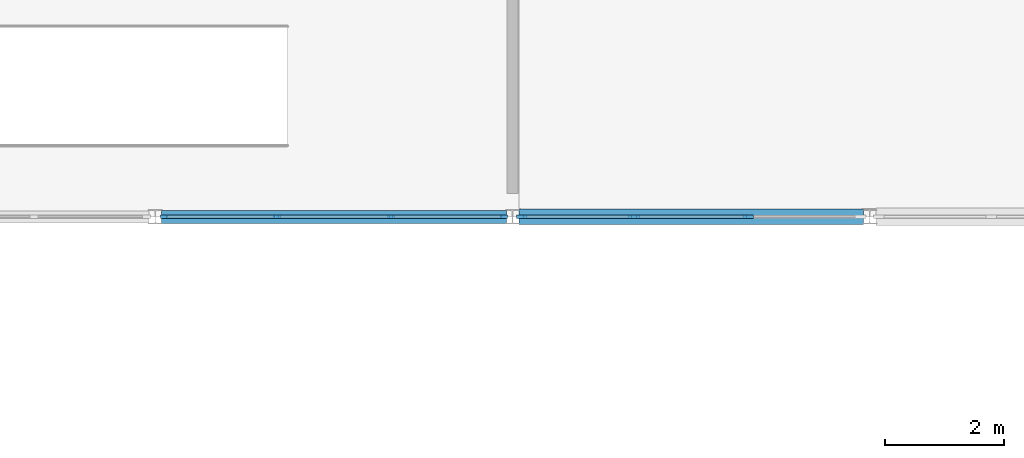
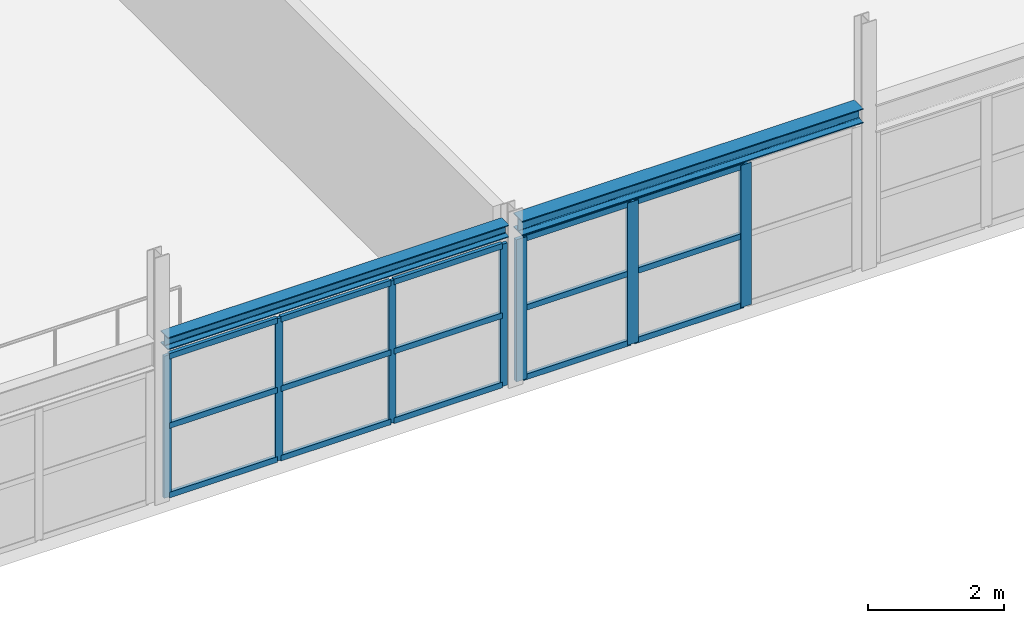
# One storey, part 57 of 137: 22 members, 2 beams, 2 elements without a shape of their own.
"""IFC4 building model written with IfcOpenShell, lengths in metres."""

from ifc_helpers import new_model, si_unit, direction, frame, origin, origin_2d, place, context, subcontext, project, spatial, rectangle, i_section, extrude, material, layer, layer_set, material_profile, profile_set, type_object, element, aggregate, save


model = new_model("IFC4")

# Units and contexts
model_context = context("Model", 3, precision=1e-05, world=origin(), true_north=direction((0.0, 1.0)))
body_context = subcontext(model_context, "Body", "Model", "MODEL_VIEW")
ifc_project = project(units=[si_unit("LENGTHUNIT", "METRE"), si_unit("AREAUNIT", "SQUARE_METRE"), si_unit("VOLUMEUNIT", "CUBIC_METRE"), si_unit("PLANEANGLEUNIT", "RADIAN"), si_unit("MASSUNIT", "GRAM", prefix="KILO"), si_unit("POWERUNIT", "WATT"), si_unit("THERMODYNAMICTEMPERATUREUNIT", "KELVIN")], contexts=[model_context])

# Site, building, storey
site_placement = place(None, origin())
site = spatial("IfcSite", under=ifc_project, at=site_placement, CompositionType="ELEMENT")
building_placement = place(site_placement, origin())
building = spatial("IfcBuilding", under=site, at=building_placement, Name="Ruvembo Vaulted Housing Court", CompositionType="ELEMENT")
storey_placement = place(building_placement, frame((0.0, 0.0, 4.5)))
storey = spatial("IfcBuildingStorey", under=building, at=storey_placement, Name="L01", CompositionType="ELEMENT", Elevation=4.5)

# Beams
ifc_material_1 = material(Name="Steel S355J2", Category="steel")
ifc_material_profile_1 = material_profile(ifc_material_1, i_section(OverallWidth=0.219970703125, OverallDepth=0.219970703125, WebThickness=0.009521484375, FlangeThickness=0.01611328125, FilletRadius=0.01806640625, at=origin_2d()), Name="HEB 220")
ifc_profile_set_1 = profile_set([ifc_material_profile_1], Name="Steel S355J2")
beam_type_1 = type_object("IfcBeamType", Name="BM-ST-HEB220", PredefinedType="BEAM", material=ifc_profile_set_1)
beam_1_placement = place(storey_placement, frame((150.10498046875, 6.0, 2.81591796875), z_axis=(1.0, 0.0, 0.0), x_axis=(0.0, 1.0, 0.0)))
element("IfcBeam", 1, at=beam_1_placement, inside=storey, type_object=beam_type_1, Name="L01 Grid Beam X #1151", PredefinedType="BEAM", context=body_context, shape_type="SweptSolid", body=[
    extrude(i_section(OverallWidth=0.219970703125, OverallDepth=0.219970703125, WebThickness=0.009521484375, FlangeThickness=0.01611328125, FilletRadius=0.01806640625, at=origin_2d()), origin(), (0.0, 0.0, 1.0), 5.7900390625),
])
ifc_material_profile_2 = material_profile(ifc_material_1, i_section(OverallWidth=0.260009765625, OverallDepth=0.260009765625, WebThickness=0.010009765625, FlangeThickness=0.017578125, FilletRadius=0.02392578125, at=origin_2d()), Name="HEB 260")
ifc_profile_set_2 = profile_set([ifc_material_profile_2], Name="Steel S355J2")
beam_type_2 = type_object("IfcBeamType", Name="BM-ST-HEB260", PredefinedType="BEAM", material=ifc_profile_set_2)
beam_2_placement = place(storey_placement, frame((156.10498046875, 6.0, 2.7958984375), z_axis=(1.0, 0.0, 0.0), x_axis=(0.0, 1.0, 0.0)))
element("IfcBeam", 2, at=beam_2_placement, inside=storey, type_object=beam_type_2, Name="L01 Grid Beam X #1152", PredefinedType="BEAM", context=body_context, shape_type="SweptSolid", body=[
    extrude(i_section(OverallWidth=0.260009765625, OverallDepth=0.260009765625, WebThickness=0.010009765625, FlangeThickness=0.017578125, FilletRadius=0.02392578125, at=origin_2d()), origin(), (0.0, 0.0, 1.0), 5.7900390625),
])

# Curtain wall, members
ifc_material_2 = material(Name="Anodised Aluminium and Solar-Control Glass", Category="aluminium")
ifc_layer = layer(ifc_material_2, 0.139892578125, Name="Anodised Aluminium and Solar-Control Glass")
ifc_layer_set = layer_set([ifc_layer], Name="Anodised Aluminium and Solar-Control Glass")
curtain_wall_type = type_object("IfcCurtainWallType", Name="CW-SHOPFRONT-U", PredefinedType="NOTDEFINED", material=ifc_layer_set)
curtain_wall_1_placement = place(storey_placement, origin())
curtain_wall_1 = element("IfcCurtainWall", 3, at=curtain_wall_1_placement, inside=storey, type_object=curtain_wall_type, Name="L01 Curtain Wall CW-L01-0143", PredefinedType="NOTDEFINED")
ifc_material_3 = material(Name="Anodised Aluminium 6063-T6", Category="aluminium")
ifc_material_profile_3 = material_profile(ifc_material_3, rectangle(XDim=0.054931640625, YDim=0.1201171875, at=origin_2d()), Name="ALU 55x120")
ifc_profile_set_3 = profile_set([ifc_material_profile_3], Name="Anodised Aluminium 6063-T6")
member_type_1 = type_object("IfcMemberType", Name="CW-MUL-55x120", PredefinedType="MULLION", material=ifc_profile_set_3)
member_1_placement = place(storey_placement, frame((150.1474609375, 6.0, 0.0), z_axis=(0.0, 0.0, 1.0), x_axis=(0.0, 1.0, 0.0)))
member_1 = element("IfcMember", 4, at=member_1_placement, type_object=member_type_1, Name="CW8 mullion 1", PredefinedType="MULLION", context=body_context, shape_type="SweptSolid", body=[
    extrude(rectangle(XDim=0.054931640625, YDim=0.1201171875, at=origin_2d()), origin(), (0.0, 0.0, 1.0), 2.550048828125),
])
member_2_placement = place(storey_placement, frame((152.0400390625, 6.0, 0.0), z_axis=(0.0, 0.0, 1.0), x_axis=(0.0, 1.0, 0.0)))
member_2 = element("IfcMember", 5, at=member_2_placement, type_object=member_type_1, Name="CW8 mullion 2", PredefinedType="MULLION", context=body_context, shape_type="SweptSolid", body=[
    extrude(rectangle(XDim=0.054931640625, YDim=0.1201171875, at=origin_2d()), origin(), (0.0, 0.0, 1.0), 2.550048828125),
])
member_3_placement = place(storey_placement, frame((153.9599609375, 6.0, 0.0), z_axis=(0.0, 0.0, 1.0), x_axis=(0.0, 1.0, 0.0)))
member_3 = element("IfcMember", 6, at=member_3_placement, type_object=member_type_1, Name="CW8 mullion 3", PredefinedType="MULLION", context=body_context, shape_type="SweptSolid", body=[
    extrude(rectangle(XDim=0.054931640625, YDim=0.1201171875, at=origin_2d()), origin(), (0.0, 0.0, 1.0), 2.550048828125),
])
member_4_placement = place(storey_placement, frame((155.8525390625, 6.0, 0.0), z_axis=(0.0, 0.0, 1.0), x_axis=(0.0, 1.0, 0.0)))
member_4 = element("IfcMember", 7, at=member_4_placement, type_object=member_type_1, Name="CW8 mullion 4", PredefinedType="MULLION", context=body_context, shape_type="SweptSolid", body=[
    extrude(rectangle(XDim=0.054931640625, YDim=0.1201171875, at=origin_2d()), origin(), (0.0, 0.0, 1.0), 2.550048828125),
])

curtain_wall_2_placement = place(storey_placement, origin())
curtain_wall_2 = element("IfcCurtainWall", 8, at=curtain_wall_2_placement, inside=storey, type_object=curtain_wall_type, Name="L01 Curtain Wall CW-L01-0146", PredefinedType="NOTDEFINED")
ifc_material_profile_4 = material_profile(ifc_material_3, rectangle(XDim=0.06494140625, YDim=0.179931640625, at=origin_2d()), Name="ALU 65x180")
ifc_profile_set_4 = profile_set([ifc_material_profile_4], Name="Anodised Aluminium 6063-T6")
member_type_2 = type_object("IfcMemberType", Name="CW-MUL-65x180", PredefinedType="MULLION", material=ifc_profile_set_4)
member_5_placement = place(storey_placement, frame((156.152587890625, 6.0, 0.0), z_axis=(0.0, 0.0, 1.0), x_axis=(0.0, 1.0, 0.0)))
member_5 = element("IfcMember", 9, at=member_5_placement, type_object=member_type_2, Name="CW8 mullion 1", PredefinedType="MULLION", context=body_context, shape_type="SweptSolid", body=[
    extrude(rectangle(XDim=0.06494140625, YDim=0.179931640625, at=origin_2d()), origin(), (0.0, 0.0, 1.0), 2.550048828125),
])
member_6_placement = place(storey_placement, frame((158.0400390625, 6.0, 0.0), z_axis=(0.0, 0.0, 1.0), x_axis=(0.0, 1.0, 0.0)))
member_6 = element("IfcMember", 10, at=member_6_placement, type_object=member_type_2, Name="CW8 mullion 2", PredefinedType="MULLION", context=body_context, shape_type="SweptSolid", body=[
    extrude(rectangle(XDim=0.06494140625, YDim=0.179931640625, at=origin_2d()), origin(), (0.0, 0.0, 1.0), 2.550048828125),
])
member_7_placement = place(storey_placement, frame((159.9599609375, 6.0, 0.0), z_axis=(0.0, 0.0, 1.0), x_axis=(0.0, 1.0, 0.0)))
member_7 = element("IfcMember", 11, at=member_7_placement, type_object=member_type_2, Name="CW8 mullion 3", PredefinedType="MULLION", context=body_context, shape_type="SweptSolid", body=[
    extrude(rectangle(XDim=0.06494140625, YDim=0.179931640625, at=origin_2d()), origin(), (0.0, 0.0, 1.0), 2.550048828125),
])

# Member
ifc_material_profile_5 = material_profile(ifc_material_3, rectangle(XDim=0.06005859375, YDim=0.10009765625, at=origin_2d()), Name="ALU 60x100")
ifc_profile_set_5 = profile_set([ifc_material_profile_5], Name="Anodised Aluminium 6063-T6")
member_type_3 = type_object("IfcMemberType", Name="CW-TRN-60x100", PredefinedType="USERDEFINED", material=ifc_profile_set_5)
member_8_placement = place(storey_placement, frame((150.175048828125, 6.0, 0.030029296875), z_axis=(1.0, 0.0, 0.0), x_axis=(0.0, 1.0, 0.0)))
member_8 = element("IfcMember", 12, at=member_8_placement, type_object=member_type_3, Name="CW8 transom 1.1", ObjectType="TRANSOM", PredefinedType="USERDEFINED", context=body_context, shape_type="SweptSolid", body=[
    extrude(rectangle(XDim=0.06005859375, YDim=0.10009765625, at=origin_2d()), origin(), (0.0, 0.0, 1.0), 1.83740234375),
])

member_9_placement = place(storey_placement, frame((150.175048828125, 6.0, 1.27490234375), z_axis=(1.0, 0.0, 0.0), x_axis=(0.0, 1.0, 0.0)))
member_9 = element("IfcMember", 13, at=member_9_placement, type_object=member_type_3, Name="CW8 transom 1.2", ObjectType="TRANSOM", PredefinedType="USERDEFINED", context=body_context, shape_type="SweptSolid", body=[
    extrude(rectangle(XDim=0.06005859375, YDim=0.10009765625, at=origin_2d()), origin(), (0.0, 0.0, 1.0), 1.83740234375),
])

member_10_placement = place(storey_placement, frame((150.175048828125, 6.0, 2.52001953125), z_axis=(1.0, 0.0, 0.0), x_axis=(0.0, 1.0, 0.0)))
member_10 = element("IfcMember", 14, at=member_10_placement, type_object=member_type_3, Name="CW8 transom 1.3", ObjectType="TRANSOM", PredefinedType="USERDEFINED", context=body_context, shape_type="SweptSolid", body=[
    extrude(rectangle(XDim=0.06005859375, YDim=0.10009765625, at=origin_2d()), origin(), (0.0, 0.0, 1.0), 1.83740234375),
])

member_11_placement = place(storey_placement, frame((152.0673828125, 6.0, 0.030029296875), z_axis=(1.0, 0.0, 0.0), x_axis=(0.0, 1.0, 0.0)))
member_11 = element("IfcMember", 15, at=member_11_placement, type_object=member_type_3, Name="CW8 transom 2.1", ObjectType="TRANSOM", PredefinedType="USERDEFINED", context=body_context, shape_type="SweptSolid", body=[
    extrude(rectangle(XDim=0.06005859375, YDim=0.10009765625, at=origin_2d()), origin(), (0.0, 0.0, 1.0), 1.865234375),
])

member_12_placement = place(storey_placement, frame((152.0673828125, 6.0, 1.27490234375), z_axis=(1.0, 0.0, 0.0), x_axis=(0.0, 1.0, 0.0)))
member_12 = element("IfcMember", 16, at=member_12_placement, type_object=member_type_3, Name="CW8 transom 2.2", ObjectType="TRANSOM", PredefinedType="USERDEFINED", context=body_context, shape_type="SweptSolid", body=[
    extrude(rectangle(XDim=0.06005859375, YDim=0.10009765625, at=origin_2d()), origin(), (0.0, 0.0, 1.0), 1.865234375),
])

member_13_placement = place(storey_placement, frame((152.0673828125, 6.0, 2.52001953125), z_axis=(1.0, 0.0, 0.0), x_axis=(0.0, 1.0, 0.0)))
member_13 = element("IfcMember", 17, at=member_13_placement, type_object=member_type_3, Name="CW8 transom 2.3", ObjectType="TRANSOM", PredefinedType="USERDEFINED", context=body_context, shape_type="SweptSolid", body=[
    extrude(rectangle(XDim=0.06005859375, YDim=0.10009765625, at=origin_2d()), origin(), (0.0, 0.0, 1.0), 1.865234375),
])

member_14_placement = place(storey_placement, frame((153.987548828125, 6.0, 0.030029296875), z_axis=(1.0, 0.0, 0.0), x_axis=(0.0, 1.0, 0.0)))
member_14 = element("IfcMember", 18, at=member_14_placement, type_object=member_type_3, Name="CW8 transom 3.1", ObjectType="TRANSOM", PredefinedType="USERDEFINED", context=body_context, shape_type="SweptSolid", body=[
    extrude(rectangle(XDim=0.06005859375, YDim=0.10009765625, at=origin_2d()), origin(), (0.0, 0.0, 1.0), 1.83740234375),
])

member_15_placement = place(storey_placement, frame((153.987548828125, 6.0, 1.27490234375), z_axis=(1.0, 0.0, 0.0), x_axis=(0.0, 1.0, 0.0)))
member_15 = element("IfcMember", 19, at=member_15_placement, type_object=member_type_3, Name="CW8 transom 3.2", ObjectType="TRANSOM", PredefinedType="USERDEFINED", context=body_context, shape_type="SweptSolid", body=[
    extrude(rectangle(XDim=0.06005859375, YDim=0.10009765625, at=origin_2d()), origin(), (0.0, 0.0, 1.0), 1.83740234375),
])

member_16_placement = place(storey_placement, frame((153.987548828125, 6.0, 2.52001953125), z_axis=(1.0, 0.0, 0.0), x_axis=(0.0, 1.0, 0.0)))
member_16 = element("IfcMember", 20, at=member_16_placement, type_object=member_type_3, Name="CW8 transom 3.3", ObjectType="TRANSOM", PredefinedType="USERDEFINED", context=body_context, shape_type="SweptSolid", body=[
    extrude(rectangle(XDim=0.06005859375, YDim=0.10009765625, at=origin_2d()), origin(), (0.0, 0.0, 1.0), 1.83740234375),
])

aggregate(curtain_wall_1, [member_1, member_2, member_3, member_4, member_8, member_9, member_10, member_11, member_12, member_13, member_14, member_15, member_16])

member_17_placement = place(storey_placement, frame((156.18505859375, 6.0, 0.030029296875), z_axis=(1.0, 0.0, 0.0), x_axis=(0.0, 1.0, 0.0)))
member_17 = element("IfcMember", 21, at=member_17_placement, type_object=member_type_3, Name="CW8 transom 1.1", ObjectType="TRANSOM", PredefinedType="USERDEFINED", context=body_context, shape_type="SweptSolid", body=[
    extrude(rectangle(XDim=0.06005859375, YDim=0.10009765625, at=origin_2d()), origin(), (0.0, 0.0, 1.0), 1.822509765625),
])

member_18_placement = place(storey_placement, frame((156.18505859375, 6.0, 1.27490234375), z_axis=(1.0, 0.0, 0.0), x_axis=(0.0, 1.0, 0.0)))
member_18 = element("IfcMember", 22, at=member_18_placement, type_object=member_type_3, Name="CW8 transom 1.2", ObjectType="TRANSOM", PredefinedType="USERDEFINED", context=body_context, shape_type="SweptSolid", body=[
    extrude(rectangle(XDim=0.06005859375, YDim=0.10009765625, at=origin_2d()), origin(), (0.0, 0.0, 1.0), 1.822509765625),
])

member_19_placement = place(storey_placement, frame((156.18505859375, 6.0, 2.52001953125), z_axis=(1.0, 0.0, 0.0), x_axis=(0.0, 1.0, 0.0)))
member_19 = element("IfcMember", 23, at=member_19_placement, type_object=member_type_3, Name="CW8 transom 1.3", ObjectType="TRANSOM", PredefinedType="USERDEFINED", context=body_context, shape_type="SweptSolid", body=[
    extrude(rectangle(XDim=0.06005859375, YDim=0.10009765625, at=origin_2d()), origin(), (0.0, 0.0, 1.0), 1.822509765625),
])

member_20_placement = place(storey_placement, frame((158.072509765625, 6.0, 0.030029296875), z_axis=(1.0, 0.0, 0.0), x_axis=(0.0, 1.0, 0.0)))
member_20 = element("IfcMember", 24, at=member_20_placement, type_object=member_type_3, Name="CW8 transom 2.1", ObjectType="TRANSOM", PredefinedType="USERDEFINED", context=body_context, shape_type="SweptSolid", body=[
    extrude(rectangle(XDim=0.06005859375, YDim=0.10009765625, at=origin_2d()), origin(), (0.0, 0.0, 1.0), 1.85498046875),
])

member_21_placement = place(storey_placement, frame((158.072509765625, 6.0, 1.27490234375), z_axis=(1.0, 0.0, 0.0), x_axis=(0.0, 1.0, 0.0)))
member_21 = element("IfcMember", 25, at=member_21_placement, type_object=member_type_3, Name="CW8 transom 2.2", ObjectType="TRANSOM", PredefinedType="USERDEFINED", context=body_context, shape_type="SweptSolid", body=[
    extrude(rectangle(XDim=0.06005859375, YDim=0.10009765625, at=origin_2d()), origin(), (0.0, 0.0, 1.0), 1.85498046875),
])

member_22_placement = place(storey_placement, frame((158.072509765625, 6.0, 2.52001953125), z_axis=(1.0, 0.0, 0.0), x_axis=(0.0, 1.0, 0.0)))
member_22 = element("IfcMember", 26, at=member_22_placement, type_object=member_type_3, Name="CW8 transom 2.3", ObjectType="TRANSOM", PredefinedType="USERDEFINED", context=body_context, shape_type="SweptSolid", body=[
    extrude(rectangle(XDim=0.06005859375, YDim=0.10009765625, at=origin_2d()), origin(), (0.0, 0.0, 1.0), 1.85498046875),
])

aggregate(curtain_wall_2, [member_5, member_6, member_7, member_17, member_18, member_19, member_20, member_21, member_22])

save(model, "model.ifc")
